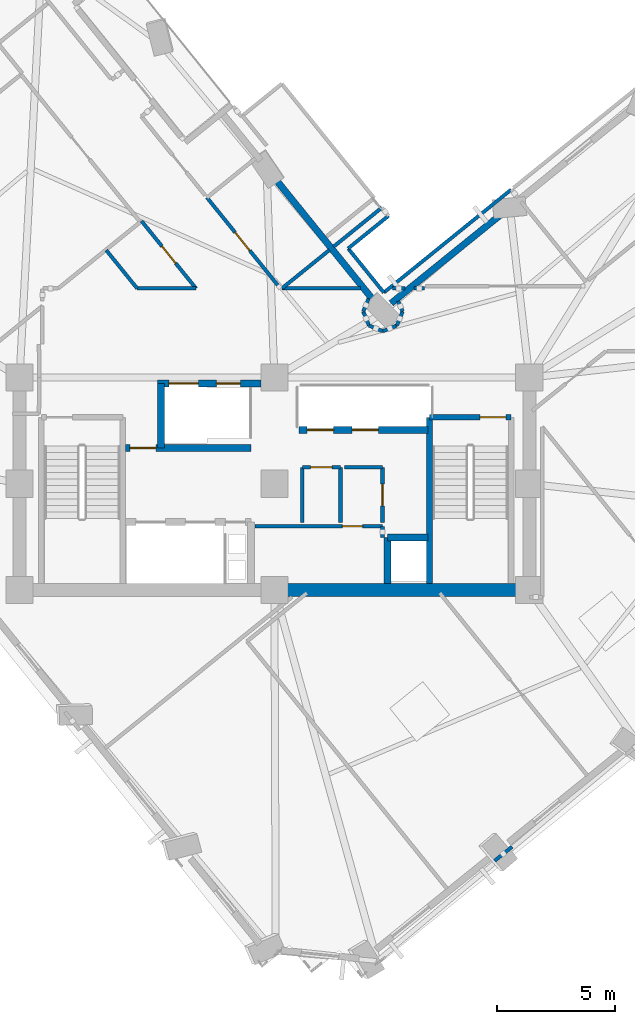
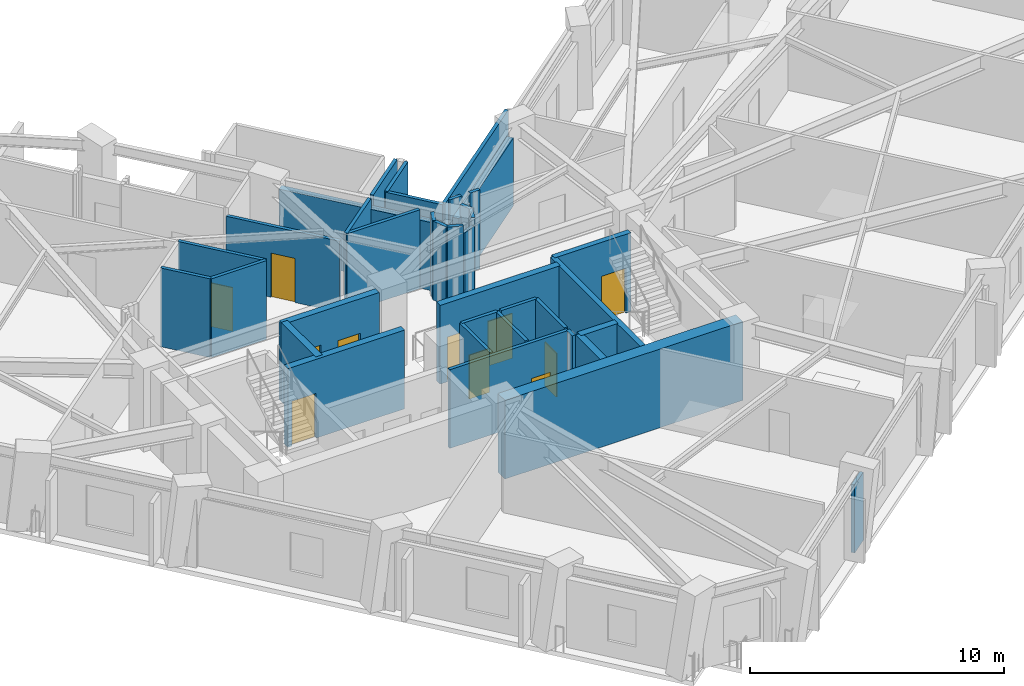
# One storey, part 6 of 14: 37 walls, 11 doors, 11 openings.
"""IFC4 building model written with IfcOpenShell, lengths in metres."""

from ifc_helpers import new_model, si_unit, direction, frame, frame_2d, origin, place, context, subcontext, project, spatial, rectangle, extrude, material, layer, layer_set, type_object, element, fill, save


model = new_model("IFC4")

# Units and contexts
model_context = context("Model", 3, precision=1e-05, world=origin(), true_north=direction((0.0, 1.0)))
body_context = subcontext(model_context, "Body", "Model", "MODEL_VIEW")
ifc_project = project(units=[si_unit("LENGTHUNIT", "METRE"), si_unit("AREAUNIT", "SQUARE_METRE"), si_unit("VOLUMEUNIT", "CUBIC_METRE"), si_unit("PLANEANGLEUNIT", "RADIAN"), si_unit("MASSUNIT", "GRAM", prefix="KILO")], contexts=[model_context])

# Site, building, storey
site_placement = place(None, origin())
site = spatial("IfcSite", under=ifc_project, at=site_placement, CompositionType="ELEMENT")
building_placement = place(site_placement, origin())
building = spatial("IfcBuilding", under=site, at=building_placement, Name="Gaonmaruhae Medical Tower", CompositionType="ELEMENT")
storey_placement = place(building_placement, frame((0.0, 0.0, 189.800048828125)))
storey = spatial("IfcBuildingStorey", under=building, at=storey_placement, Name="L45", CompositionType="ELEMENT", Elevation=189.800048828125)

# Walls
ifc_material_1 = material(Name="Concrete C50/60", Category="concrete")
ifc_layer_1 = layer(ifc_material_1, 0.550048828125)
ifc_layer_set_1 = layer_set([ifc_layer_1], Name="Concrete C50/60")
wall_type_1 = type_object("IfcWallType", Name="CW-550 Mid-High Core Shear Wall", PredefinedType="SHEAR", material=ifc_layer_set_1)
wall_1_placement = place(storey_placement, frame((24.800048828125, 7.800048828125, 0.0), z_axis=(0.0, 0.0, 1.0), x_axis=(1.0, 0.0, 0.0)))
element("IfcWall", 1, at=wall_1_placement, inside=storey, type_object=wall_type_1, Name="L45 Core Shear Wall CSW-S2", PredefinedType="SHEAR", context=body_context, shape_type="SweptSolid", body=[
    extrude(rectangle(XDim=10.800048828125, YDim=0.550048828125, at=frame_2d((5.39990234375, 0.0))), origin(), (0.0, 0.0, 1.0), 3.780029296875),
])
ifc_material_2 = material(Name="Precast concrete C45/55", Category="concrete")
ifc_layer_2 = layer(ifc_material_2, 0.280029296875)
ifc_layer_set_2 = layer_set([ifc_layer_2], Name="Precast concrete C45/55")
wall_type_2 = type_object("IfcWallType", Name="EW-280 Upper Precast Masonry-Frame Facade Wall", PredefinedType="SOLIDWALL", material=ifc_layer_set_2)
wall_2_placement = place(storey_placement, frame((29.747314453125, 19.949951171875, 0.0), z_axis=(0.0, 0.0, 1.0), x_axis=(0.777717798176, 0.628613574782, 0.0)))
element("IfcWall", 2, at=wall_2_placement, inside=storey, type_object=wall_type_2, Name="L45 Precast Masonry-Frame Wall EN03-KN01", PredefinedType="SOLIDWALL", context=body_context, shape_type="SweptSolid", body=[
    extrude(rectangle(XDim=5.9599609375, YDim=0.280029296875, at=frame_2d((2.97998046875, 0.0))), origin(), (0.0, 0.0, 1.0), 3.264892578125),
])
wall_3_placement = place(storey_placement, frame((29.076904296875, 19.976318359375, 0.0), z_axis=(0.0, 0.0, 1.0), x_axis=(-0.628642221387, 0.777694642832, 0.0)))
element("IfcWall", 3, at=wall_3_placement, inside=storey, type_object=wall_type_2, Name="L45 Precast Masonry-Frame Wall KN01-NE01", PredefinedType="SOLIDWALL", context=body_context, shape_type="SweptSolid", body=[
    extrude(rectangle(XDim=6.759765625, YDim=0.280029296875, at=frame_2d((3.3798828125, 0.0))), origin(), (0.0, 0.0, 1.0), 3.264892578125),
])

# Wall, opening, door
ifc_material_3 = material(Name="Gypsum board partition", Category="gypsum")
ifc_layer_3 = layer(ifc_material_3, 0.14990234375)
ifc_layer_set_3 = layer_set([ifc_layer_3], Name="Gypsum board partition")
wall_type_3 = type_object("IfcWallType", Name="PW-150 Rated Clinical Corridor Partition", PredefinedType="PARTITIONING", material=ifc_layer_set_3)
wall_4_placement = place(storey_placement, frame((23.97998046875, 10.5, 0.0), z_axis=(0.0, 0.0, 1.0), x_axis=(1.0, 0.0, 0.0)))
wall_4 = element("IfcWall", 4, at=wall_4_placement, inside=storey, type_object=wall_type_3, Name="L45 Interior Partition L45-RCL1-1", PredefinedType="PARTITIONING", context=body_context, shape_type="SweptSolid", body=[
    extrude(rectangle(XDim=5.39990234375, YDim=0.14990234375, at=frame_2d((2.699951171875, 0.0))), origin(), (0.0, 0.0, 1.0), 3.780029296875),
])
opening_1_placement = place(wall_4_placement, frame((3.702880859375, 0.0, 0.0)))
opening_1 = element("IfcOpeningElement", 5, at=opening_1_placement, cuts=wall_4, Name="Opening AD-01", PredefinedType="OPENING", context=body_context, shape_type="SweptSolid", body=[
    extrude(rectangle(XDim=0.860107421875, YDim=2.06005859375, at=frame_2d((0.43017578125, 1.030029296875))), frame((0.0, 0.0849609375, 0.0), z_axis=(0.0, -1.0, 0.0), x_axis=(1.0, 0.0, 0.0)), (0.0, 0.0, 1.0), 0.169921875),
])
ifc_material_4 = material(Name="Powder-coated steel access door", Category="steel")
door_type_1 = type_object("IfcDoorType", Name="AD-01 Riser & Closet Access Fire Door 860x2060", OperationType="NOTDEFINED", PredefinedType="DOOR", material=ifc_material_4)
door_1_placement = place(opening_1_placement, origin())
door_1 = element("IfcDoor", 6, at=door_1_placement, inside=storey, type_object=door_type_1, Name="L45 Biomedical Infusion Preparation Room Sliding Door", OperationType="SLIDING_TO_LEFT", OverallHeight=2.06005859375, OverallWidth=0.860107421875, PredefinedType="DOOR", context=body_context, shape_type="SweptSolid", body=[
    extrude(rectangle(XDim=0.860107421875, YDim=2.06005859375, at=frame_2d((0.43017578125, 1.030029296875))), frame((0.0, 0.02490234375, 0.0), z_axis=(0.0, -1.0, 0.0), x_axis=(1.0, 0.0, 0.0)), (0.0, 0.0, 1.0), 0.050048828125),
])
fill(opening_1, door_1)

# Walls
wall_5_placement = place(storey_placement, frame((29.3798828125, 10.5, 0.0), z_axis=(0.0, 0.0, 1.0), x_axis=(0.0, -1.0, 0.0)))
element("IfcWall", 7, at=wall_5_placement, inside=storey, type_object=wall_type_3, Name="L45 Interior Partition L45-RCL1-2", PredefinedType="PARTITIONING", context=body_context, shape_type="SweptSolid", body=[
    extrude(rectangle(XDim=0.47998046875, YDim=0.14990234375, at=frame_2d((0.239990234375, 0.0))), origin(), (0.0, 0.0, 1.0), 3.780029296875),
])
wall_6_placement = place(storey_placement, frame((25.97998046875, 10.659912109375, 0.0), z_axis=(0.0, 0.0, 1.0), x_axis=(0.0, 1.0, 0.0)))
element("IfcWall", 8, at=wall_6_placement, inside=storey, type_object=wall_type_3, Name="L45 Interior Partition L45-CS1-3", PredefinedType="PARTITIONING", context=body_context, shape_type="SweptSolid", body=[
    extrude(rectangle(XDim=2.340087890625, YDim=0.14990234375, at=frame_2d((1.169921875, 0.0))), origin(), (0.0, 0.0, 1.0), 3.780029296875),
])

# Wall, opening, door
wall_7_placement = place(storey_placement, frame((25.97998046875, 13.0, 0.0), z_axis=(0.0, 0.0, 1.0), x_axis=(1.0, 0.0, 0.0)))
wall_7 = element("IfcWall", 9, at=wall_7_placement, inside=storey, type_object=wall_type_3, Name="L45 Interior Partition L45-CS1-4", PredefinedType="PARTITIONING", context=body_context, shape_type="SweptSolid", body=[
    extrude(rectangle(XDim=1.6201171875, YDim=0.14990234375, at=frame_2d((0.81005859375, 0.0))), origin(), (0.0, 0.0, 1.0), 3.780029296875),
])
opening_2_placement = place(wall_7_placement, frame((0.35009765625, 0.0, 0.0)))
opening_2 = element("IfcOpeningElement", 10, at=opening_2_placement, cuts=wall_7, Name="Opening UD-01", PredefinedType="OPENING", context=body_context, shape_type="SweptSolid", body=[
    extrude(rectangle(XDim=0.919921875, YDim=2.10009765625, at=frame_2d((0.4599609375, 1.050048828125))), frame((0.0, 0.0849609375, 0.0), z_axis=(0.0, -1.0, 0.0), x_axis=(1.0, 0.0, 0.0)), (0.0, 0.0, 1.0), 0.169921875),
])
ifc_material_5 = material(Name="Powder-coated steel utility door", Category="steel")
door_type_2 = type_object("IfcDoorType", Name="UD-01 Toilet, Utility & Housekeeping Door 920x2100", OperationType="NOTDEFINED", PredefinedType="DOOR", material=ifc_material_5)
door_2_placement = place(opening_2_placement, origin())
door_2 = element("IfcDoor", 11, at=door_2_placement, inside=storey, type_object=door_type_2, Name="L45 Accessible Staff Toilet Door", OperationType="SINGLE_SWING_RIGHT", OverallHeight=2.10009765625, OverallWidth=0.919921875, PredefinedType="DOOR", context=body_context, shape_type="SweptSolid", body=[
    extrude(rectangle(XDim=0.919921875, YDim=2.10009765625, at=frame_2d((0.4599609375, 1.050048828125))), frame((0.0, 0.02490234375, 0.0), z_axis=(0.0, -1.0, 0.0), x_axis=(1.0, 0.0, 0.0)), (0.0, 0.0, 1.0), 0.050048828125),
])
fill(opening_2, door_2)

# Walls
wall_8_placement = place(storey_placement, frame((27.60009765625, 13.0, 0.0), z_axis=(0.0, 0.0, 1.0), x_axis=(0.0, -1.0, 0.0)))
element("IfcWall", 12, at=wall_8_placement, inside=storey, type_object=wall_type_3, Name="L45 Interior Partition L45-CS1-5", PredefinedType="PARTITIONING", context=body_context, shape_type="SweptSolid", body=[
    extrude(rectangle(XDim=2.340087890625, YDim=0.14990234375, at=frame_2d((1.169921875, 0.0))), origin(), (0.0, 0.0, 1.0), 3.780029296875),
])
wall_9_placement = place(storey_placement, frame((27.760009765625, 13.0, 0.0), z_axis=(0.0, 0.0, 1.0), x_axis=(1.0, 0.0, 0.0)))
element("IfcWall", 13, at=wall_9_placement, inside=storey, type_object=wall_type_3, Name="L45 Interior Partition L45-CS2-6", PredefinedType="PARTITIONING", context=body_context, shape_type="SweptSolid", body=[
    extrude(rectangle(XDim=1.619873046875, YDim=0.14990234375, at=frame_2d((0.81005859375, 0.0))), origin(), (0.0, 0.0, 1.0), 3.780029296875),
])

# Wall, opening, door
wall_10_placement = place(storey_placement, frame((29.3798828125, 13.0, 0.0), z_axis=(0.0, 0.0, 1.0), x_axis=(0.0, -1.0, 0.0)))
wall_10 = element("IfcWall", 14, at=wall_10_placement, inside=storey, type_object=wall_type_3, Name="L45 Interior Partition L45-CS2-7", PredefinedType="PARTITIONING", context=body_context, shape_type="SweptSolid", body=[
    extrude(rectangle(XDim=2.340087890625, YDim=0.14990234375, at=frame_2d((1.169921875, 0.0))), origin(), (0.0, 0.0, 1.0), 3.780029296875),
])
opening_3_placement = place(wall_10_placement, frame((0.7099609375, 0.0, 0.0)))
opening_3 = element("IfcOpeningElement", 15, at=opening_3_placement, cuts=wall_10, Name="Opening UD-01", PredefinedType="OPENING", context=body_context, shape_type="SweptSolid", body=[
    extrude(rectangle(XDim=0.919921875, YDim=2.10009765625, at=frame_2d((0.4599609375, 1.050048828125))), frame((0.0, 0.0849609375, 0.0), z_axis=(0.0, -1.0, 0.0), x_axis=(1.0, 0.0, 0.0)), (0.0, 0.0, 1.0), 0.169921875),
])
door_3_placement = place(opening_3_placement, origin())
door_3 = element("IfcDoor", 16, at=door_3_placement, inside=storey, type_object=door_type_2, Name="L45 Biomedical Telemetry Closet Door", OperationType="SINGLE_SWING_LEFT", OverallHeight=2.10009765625, OverallWidth=0.919921875, PredefinedType="DOOR", context=body_context, shape_type="SweptSolid", body=[
    extrude(rectangle(XDim=0.919921875, YDim=2.10009765625, at=frame_2d((0.4599609375, 1.050048828125))), frame((0.0, 0.02490234375, 0.0), z_axis=(0.0, -1.0, 0.0), x_axis=(1.0, 0.0, 0.0)), (0.0, 0.0, 1.0), 0.050048828125),
])
fill(opening_3, door_3)

# Walls
wall_11_placement = place(storey_placement, frame((34.8701171875, -3.080078125, 0.0), z_axis=(0.0, 0.0, 1.0), x_axis=(-0.777931532756, -0.628349051359, 0.0)))
element("IfcWall", 17, at=wall_11_placement, inside=storey, type_object=wall_type_3, Name="L45 Interior Partition L45-SUP02-8", PredefinedType="PARTITIONING", context=body_context, shape_type="SweptSolid", body=[
    extrude(rectangle(XDim=0.95166015625, YDim=0.14990234375, at=frame_2d((0.475830078125, 0.0))), origin(), (0.0, 0.0, 1.0), 3.264892578125),
])
wall_12_placement = place(storey_placement, frame((27.927978515625, 22.27197265625, 0.0), z_axis=(0.0, 0.0, 1.0), x_axis=(0.628817696096, -0.777552766747, 0.0)))
element("IfcWall", 18, at=wall_12_placement, inside=storey, type_object=wall_type_3, Name="L45 Interior Partition L45-IE01-46", PredefinedType="PARTITIONING", context=body_context, shape_type="SweptSolid", body=[
    extrude(rectangle(XDim=2.39990234375, YDim=0.14990234375, at=frame_2d((1.199951171875, 0.0))), origin(), (0.0, 0.0, 1.0), 3.780029296875),
])
wall_13_placement = place(storey_placement, frame((29.43701171875, 20.406005859375, 0.0), z_axis=(0.0, 0.0, 1.0), x_axis=(0.777692568026, 0.628644788125, 0.0)))
element("IfcWall", 19, at=wall_13_placement, inside=storey, type_object=wall_type_3, Name="L45 Interior Partition L45-IE01-47", PredefinedType="PARTITIONING", context=body_context, shape_type="SweptSolid", body=[
    extrude(rectangle(XDim=6.943603515625, YDim=0.14990234375, at=frame_2d((3.4716796875, 0.0))), origin(), (0.0, 0.0, 1.0), 3.780029296875),
])
wall_14_placement = place(storey_placement, frame((31.169921875, 20.580078125, 0.0), z_axis=(0.0, 0.0, 1.0), x_axis=(-1.0, 0.0, 0.0)))
element("IfcWall", 20, at=wall_14_placement, inside=storey, type_object=wall_type_3, Name="L45 Interior Partition L45-IE01-51", PredefinedType="PARTITIONING", context=body_context, shape_type="SweptSolid", body=[
    extrude(rectangle(XDim=0.4609375, YDim=0.14990234375, at=frame_2d((0.23046875, 0.0))), origin(), (0.0, 0.0, 1.0), 3.780029296875),
])
wall_15_placement = place(storey_placement, frame((30.343017578125, 20.5791015625, 0.0), z_axis=(0.0, 0.0, 1.0), x_axis=(-1.0, 0.0, 0.0)))
element("IfcWall", 21, at=wall_15_placement, inside=storey, type_object=wall_type_3, Name="L45 Interior Partition L45-IE01-52", PredefinedType="PARTITIONING", context=body_context, shape_type="SweptSolid", body=[
    extrude(rectangle(XDim=0.5439453125, YDim=0.14990234375, at=frame_2d((0.27197265625, 0.0))), origin(), (0.0, 0.0, 1.0), 3.780029296875),
])
wall_16_placement = place(storey_placement, frame((30.047119140625, 20.0439453125, 0.0), z_axis=(0.0, 0.0, 1.0), x_axis=(0.382783485813, -0.923838082669, 0.0)))
element("IfcWall", 22, at=wall_16_placement, inside=storey, type_object=wall_type_3, Name="L45 Interior Partition L45-IE01-53", PredefinedType="PARTITIONING", context=body_context, shape_type="SweptSolid", body=[
    extrude(rectangle(XDim=0.48291015625, YDim=0.14990234375, at=frame_2d((0.241455078125, 0.0))), origin(), (0.0, 0.0, 1.0), 3.780029296875),
])
wall_17_placement = place(storey_placement, frame((30.23193359375, 19.597900390625, 0.0), z_axis=(0.0, 0.0, 1.0), x_axis=(-0.383420739437, -0.923573785125, 0.0)))
element("IfcWall", 23, at=wall_17_placement, inside=storey, type_object=wall_type_3, Name="L45 Interior Partition L45-IE01-54", PredefinedType="PARTITIONING", context=body_context, shape_type="SweptSolid", body=[
    extrude(rectangle(XDim=0.638671875, YDim=0.14990234375, at=frame_2d((0.3193359375, 0.0))), origin(), (0.0, 0.0, 1.0), 3.780029296875),
])
wall_18_placement = place(storey_placement, frame((29.987060546875, 19.008056640625, 0.0), z_axis=(0.0, 0.0, 1.0), x_axis=(-0.923811477415, -0.382847690599, 0.0)))
element("IfcWall", 24, at=wall_18_placement, inside=storey, type_object=wall_type_3, Name="L45 Interior Partition L45-IE01-55", PredefinedType="PARTITIONING", context=body_context, shape_type="SweptSolid", body=[
    extrude(rectangle(XDim=0.6376953125, YDim=0.14990234375, at=frame_2d((0.31884765625, 0.0))), origin(), (0.0, 0.0, 1.0), 3.4150390625),
])
for number, where, z_axis, x_axis, name in (
    (25, (29.39794921875, 18.763916015625, 0.0), (0.0, 0.0, 1.0), (-0.923979554509, 0.382441868588, 0.0), "L45 Interior Partition L45-IE01-56"),
    (26, (28.80810546875, 19.008056640625, 0.0), (0.0, 0.0, 1.0), (-0.382441868588, 0.923979554509, 0.0), "L45 Interior Partition L45-IE01-57"),
):
    element("IfcWall", number, at=place(storey_placement, frame(where, z_axis=z_axis, x_axis=x_axis)), inside=storey, type_object=wall_type_3, Name=name, PredefinedType="PARTITIONING", context=body_context, shape_type="SweptSolid", body=[
        extrude(rectangle(XDim=0.638427734375, YDim=0.14990234375, at=frame_2d((0.3193359375, 0.0))), origin(), (0.0, 0.0, 1.0), 3.780029296875),
    ])
wall_19_placement = place(storey_placement, frame((28.56396484375, 19.597900390625, 0.0), z_axis=(0.0, 0.0, 1.0), x_axis=(0.382134027661, 0.924106912053, 0.0)))
element("IfcWall", 27, at=wall_19_placement, inside=storey, type_object=wall_type_3, Name="L45 Interior Partition L45-IE01-58", PredefinedType="PARTITIONING", context=body_context, shape_type="SweptSolid", body=[
    extrude(rectangle(XDim=0.59423828125, YDim=0.14990234375, at=frame_2d((0.297119140625, 0.0))), origin(), (0.0, 0.0, 1.0), 3.780029296875),
])
wall_20_placement = place(storey_placement, frame((28.44189453125, 20.5791015625, 0.0), z_axis=(0.0, 0.0, 1.0), x_axis=(-0.999997876259, 0.002060940714, 0.0)))
element("IfcWall", 28, at=wall_20_placement, inside=storey, type_object=wall_type_3, Name="L45 Interior Partition L45-IE01-59", PredefinedType="PARTITIONING", context=body_context, shape_type="SweptSolid", body=[
    extrude(rectangle(XDim=3.31689453125, YDim=0.14990234375, at=frame_2d((1.658447265625, 0.0))), origin(), (0.0, 0.0, 1.0), 3.780029296875),
])
wall_21_placement = place(storey_placement, frame((25.125, 20.5859375, 0.0), z_axis=(0.0, 0.0, 1.0), x_axis=(0.777862741632, 0.62843420911, 0.0)))
element("IfcWall", 29, at=wall_21_placement, inside=storey, type_object=wall_type_3, Name="L45 Interior Partition L45-IE01-60", PredefinedType="PARTITIONING", context=body_context, shape_type="SweptSolid", body=[
    extrude(rectangle(XDim=2.574951171875, YDim=0.14990234375, at=frame_2d((1.28759765625, 0.0))), origin(), (0.0, 0.0, 1.0), 3.780029296875),
])
wall_22_placement = place(storey_placement, frame((27.306884765625, 22.34912109375, 0.0), z_axis=(0.0, 0.0, 1.0), x_axis=(0.777803521149, 0.628507503924, 0.0)))
element("IfcWall", 30, at=wall_22_placement, inside=storey, type_object=wall_type_3, Name="L45 Interior Partition L45-IE01-61", PredefinedType="PARTITIONING", context=body_context, shape_type="SweptSolid", body=[
    extrude(rectangle(XDim=2.634521484375, YDim=0.14990234375, at=frame_2d((1.3173828125, 0.0))), origin(), (0.0, 0.0, 1.0), 3.780029296875),
])
wall_23_placement = place(storey_placement, frame((29.638916015625, 23.655029296875, 0.0), z_axis=(0.0, 0.0, 1.0), x_axis=(-0.777686587847, -0.628652186095, 0.0)))
element("IfcWall", 31, at=wall_23_placement, inside=storey, type_object=wall_type_3, Name="L45 Interior Partition L45-IE01-63", PredefinedType="PARTITIONING", context=body_context, shape_type="SweptSolid", body=[
    extrude(rectangle(XDim=2.199951171875, YDim=0.14990234375, at=frame_2d((1.10009765625, 0.0))), origin(), (0.0, 0.0, 1.0), 3.780029296875),
])

# Wall, opening, door
wall_24_placement = place(storey_placement, frame((24.947021484375, 20.7109375, 0.0), z_axis=(0.0, 0.0, 1.0), x_axis=(-0.628604529082, 0.777725109545, 0.0)))
wall_24 = element("IfcWall", 32, at=wall_24_placement, inside=storey, type_object=wall_type_3, Name="L45 Interior Partition L45-IN01-77", PredefinedType="PARTITIONING", context=body_context, shape_type="SweptSolid", body=[
    extrude(rectangle(XDim=4.780517578125, YDim=0.14990234375, at=frame_2d((2.39013671875, 0.0))), origin(), (0.0, 0.0, 1.0), 3.4150390625),
])
opening_4_placement = place(wall_24_placement, frame((1.890380859375, 0.0, 0.0)))
opening_4 = element("IfcOpeningElement", 33, at=opening_4_placement, cuts=wall_24, Name="Opening CD-01", PredefinedType="OPENING", context=body_context, shape_type="SweptSolid", body=[
    extrude(rectangle(XDim=1.0, YDim=2.1201171875, at=frame_2d((0.5, 1.06005859375))), frame((0.0, 0.0849609375, 0.0), z_axis=(0.0, -1.0, 0.0), x_axis=(1.0, 0.0, 0.0)), (0.0, 0.0, 1.0), 0.169921875),
])
ifc_material_6 = material(Name="Antimicrobial laminate timber fire door", Category="wood")
door_type_3 = type_object("IfcDoorType", Name="CD-01 Consultation & Physician Office Door 1000x2120", OperationType="NOTDEFINED", PredefinedType="DOOR", material=ifc_material_6)
door_4_placement = place(opening_4_placement, origin())
door_4 = element("IfcDoor", 34, at=door_4_placement, inside=storey, type_object=door_type_3, Name="L45 Physician Consultation Office Door", OperationType="SINGLE_SWING_LEFT", OverallHeight=2.1201171875, OverallWidth=1.0, PredefinedType="DOOR", context=body_context, shape_type="SweptSolid", body=[
    extrude(rectangle(XDim=1.0, YDim=2.1201171875, at=frame_2d((0.5, 1.06005859375))), frame((0.0, 0.02490234375, 0.0), z_axis=(0.0, -1.0, 0.0), x_axis=(1.0, 0.0, 0.0)), (0.0, 0.0, 1.0), 0.050048828125),
])
fill(opening_4, door_4)

wall_25_placement = place(storey_placement, frame((19.169921875, 23.43505859375, 0.0), z_axis=(0.0, 0.0, 1.0), x_axis=(0.62869305857, -0.777653546321, 0.0)))
wall_25 = element("IfcWall", 35, at=wall_25_placement, inside=storey, type_object=wall_type_3, Name="L45 Interior Partition L45-RM03-93", PredefinedType="PARTITIONING", context=body_context, shape_type="SweptSolid", body=[
    extrude(rectangle(XDim=3.67138671875, YDim=0.14990234375, at=frame_2d((1.835693359375, 0.0))), origin(), (0.0, 0.0, 1.0), 3.780029296875),
])
opening_5_placement = place(wall_25_placement, frame((1.37548828125, 0.0, 0.0)))
opening_5 = element("IfcOpeningElement", 36, at=opening_5_placement, cuts=wall_25, Name="Opening UD-01", PredefinedType="OPENING", context=body_context, shape_type="SweptSolid", body=[
    extrude(rectangle(XDim=0.919921875, YDim=2.10009765625, at=frame_2d((0.4599609375, 1.050048828125))), frame((0.0, 0.0849609375, 0.0), z_axis=(0.0, -1.0, 0.0), x_axis=(1.0, 0.0, 0.0)), (0.0, 0.0, 1.0), 0.169921875),
])
door_5_placement = place(opening_5_placement, origin())
door_5 = element("IfcDoor", 37, at=door_5_placement, inside=storey, type_object=door_type_2, Name="L45 Biomedical Mobile Equipment Bay Door", OperationType="SINGLE_SWING_RIGHT", OverallHeight=2.10009765625, OverallWidth=0.919921875, PredefinedType="DOOR", context=body_context, shape_type="SweptSolid", body=[
    extrude(rectangle(XDim=0.919921875, YDim=2.10009765625, at=frame_2d((0.4599609375, 1.050048828125))), frame((0.0, 0.02490234375, 0.0), z_axis=(0.0, -1.0, 0.0), x_axis=(1.0, 0.0, 0.0)), (0.0, 0.0, 1.0), 0.050048828125),
])
fill(opening_5, door_5)

# Walls
wall_26_placement = place(storey_placement, frame((21.47802734375, 20.580078125, 0.0), z_axis=(0.0, 0.0, 1.0), x_axis=(-1.0, 0.0, 0.0)))
element("IfcWall", 38, at=wall_26_placement, inside=storey, type_object=wall_type_3, Name="L45 Interior Partition L45-RM03-94", PredefinedType="PARTITIONING", context=body_context, shape_type="SweptSolid", body=[
    extrude(rectangle(XDim=2.494140625, YDim=0.14990234375, at=frame_2d((1.2470703125, 0.0))), origin(), (0.0, 0.0, 1.0), 3.780029296875),
])
wall_27_placement = place(storey_placement, frame((18.98388671875, 20.580078125, 0.0), z_axis=(0.0, 0.0, 1.0), x_axis=(-0.628759845398, 0.777599547849, 0.0)))
element("IfcWall", 39, at=wall_27_placement, inside=storey, type_object=wall_type_3, Name="L45 Interior Partition L45-RM03-95", PredefinedType="PARTITIONING", context=body_context, shape_type="SweptSolid", body=[
    extrude(rectangle(XDim=2.083251953125, YDim=0.14990234375, at=frame_2d((1.04150390625, 0.0))), origin(), (0.0, 0.0, 1.0), 3.780029296875),
])

# Wall, opening, door
ifc_layer_4 = layer(ifc_material_1, 0.239990234375)
ifc_layer_set_4 = layer_set([ifc_layer_4], Name="Concrete C50/60")
wall_type_4 = type_object("IfcWallType", Name="SW-240 Dogleg Stair Tight Shaft Wall", PredefinedType="SOLIDWALL", material=ifc_layer_set_4)
wall_28_placement = place(storey_placement, frame((31.3701171875, 15.1201171875, 0.0), z_axis=(0.0, 0.0, 1.0), x_axis=(1.0, 0.0, 0.0)))
wall_28 = element("IfcWall", 40, at=wall_28_placement, inside=storey, type_object=wall_type_4, Name="L45 ST-02 Stair Shaft Wall SHW-ST-02-N", PredefinedType="SOLIDWALL", context=body_context, shape_type="SweptSolid", body=[
    extrude(rectangle(XDim=3.4599609375, YDim=0.239990234375, at=frame_2d((1.72998046875, 0.0))), origin(), (0.0, 0.0, 1.0), 3.780029296875),
])
opening_6_placement = place(wall_28_placement, frame((2.139892578125, 0.0, 0.0)))
opening_6 = element("IfcOpeningElement", 41, at=opening_6_placement, cuts=wall_28, Name="Opening FD-01", PredefinedType="OPENING", context=body_context, shape_type="SweptSolid", body=[
    extrude(rectangle(XDim=1.10009765625, YDim=2.14990234375, at=frame_2d((0.550048828125, 1.074951171875))), frame((0.0, 0.1298828125, 0.0), z_axis=(0.0, -1.0, 0.0), x_axis=(1.0, 0.0, 0.0)), (0.0, 0.0, 1.0), 0.260009765625),
])
ifc_material_7 = material(Name="Powder-coated steel fire door", Category="steel")
door_type_4 = type_object("IfcDoorType", Name="FD-01 Escape Stair Protected Fire Door 1100x2150", OperationType="NOTDEFINED", PredefinedType="DOOR", material=ifc_material_7)
door_6_placement = place(opening_6_placement, origin())
door_6 = element("IfcDoor", 42, at=door_6_placement, inside=storey, type_object=door_type_4, Name="L45 ST-02 Protected Escape Stair Door", OperationType="SINGLE_SWING_RIGHT", OverallHeight=2.14990234375, OverallWidth=1.10009765625, PredefinedType="DOOR", context=body_context, shape_type="SweptSolid", body=[
    extrude(rectangle(XDim=1.10009765625, YDim=2.14990234375, at=frame_2d((0.550048828125, 1.074951171875))), frame((0.0, 0.02490234375, 0.0), z_axis=(0.0, -1.0, 0.0), x_axis=(1.0, 0.0, 0.0)), (0.0, 0.0, 1.0), 0.050048828125),
])
fill(opening_6, door_6)

# Wall
wall_29_placement = place(storey_placement, frame((31.3701171875, 8.074951171875, 0.0), z_axis=(0.0, 0.0, 1.0), x_axis=(0.0, 1.0, 0.0)))
element("IfcWall", 43, at=wall_29_placement, inside=storey, type_object=wall_type_4, Name="L45 ST-02 Stair Shaft Wall SHW-ST-02-W", PredefinedType="SOLIDWALL", context=body_context, shape_type="SweptSolid", body=[
    extrude(rectangle(XDim=7.045166015625, YDim=0.239990234375, at=frame_2d((3.5224609375, 0.0))), origin(), (0.0, 0.0, 1.0), 3.780029296875),
])

# Wall, openings, doors
ifc_layer_5 = layer(ifc_material_1, 0.300048828125)
ifc_layer_set_5 = layer_set([ifc_layer_5], Name="Concrete C50/60")
wall_type_5 = type_object("IfcWallType", Name="SW-300 Stair & Lift Hoistway Shaft Wall", PredefinedType="SOLIDWALL", material=ifc_layer_set_5)
wall_30_placement = place(storey_placement, frame((19.85009765625, 16.550048828125, 0.0), z_axis=(0.0, 0.0, 1.0), x_axis=(1.0, 0.0, 0.0)))
wall_30 = element("IfcWall", 44, at=wall_30_placement, inside=storey, type_object=wall_type_5, Name="L45 Core Shear Wall CSW-NB", PredefinedType="SOLIDWALL", context=body_context, shape_type="SweptSolid", body=[
    extrude(rectangle(XDim=4.375, YDim=0.300048828125, at=frame_2d((2.1875, 0.0))), origin(), (0.0, 0.0, 1.0), 3.780029296875),
])
opening_7_placement = place(wall_30_placement, frame((0.47509765625, 0.0, 0.0)))
opening_7 = element("IfcOpeningElement", 45, at=opening_7_placement, cuts=wall_30, Name="Opening LD-F1", PredefinedType="OPENING", context=body_context, shape_type="SweptSolid", body=[
    extrude(rectangle(XDim=1.25, YDim=2.179931640625, at=frame_2d((0.625, 1.08984375))), frame((0.0, 0.16015625, 0.0), z_axis=(0.0, -1.0, 0.0), x_axis=(1.0, 0.0, 0.0)), (0.0, 0.0, 1.0), 0.320068359375),
])
opening_8_placement = place(wall_30_placement, frame((2.489990234375, 0.0, 0.0)))
opening_8 = element("IfcOpeningElement", 46, at=opening_8_placement, cuts=wall_30, Name="Opening LD-S1", PredefinedType="OPENING", context=body_context, shape_type="SweptSolid", body=[
    extrude(rectangle(XDim=1.02001953125, YDim=2.1201171875, at=frame_2d((0.510009765625, 1.06005859375))), frame((0.0, 0.16015625, 0.0), z_axis=(0.0, -1.0, 0.0), x_axis=(1.0, 0.0, 0.0)), (0.0, 0.0, 1.0), 0.320068359375),
])
ifc_material_8 = material(Name="Brushed stainless steel 316L landing door", Category="steel")
door_type_5 = type_object("IfcDoorType", Name="LD-F1 Firefighting & Bed Lift Sliding Landing Door 1250x2180", OperationType="NOTDEFINED", PredefinedType="DOOR", material=ifc_material_8)
door_7_placement = place(opening_7_placement, origin())
door_7 = element("IfcDoor", 47, at=door_7_placement, inside=storey, type_object=door_type_5, Name="L45 Service/Bed Lift Landing Door BDL-01", OperationType="DOUBLE_DOOR_SLIDING", OverallHeight=2.179931640625, OverallWidth=1.25, PredefinedType="DOOR", context=body_context, shape_type="SweptSolid", body=[
    extrude(rectangle(XDim=1.25, YDim=2.179931640625, at=frame_2d((0.625, 1.08984375))), frame((0.0, 0.02490234375, 0.0), z_axis=(0.0, -1.0, 0.0), x_axis=(1.0, 0.0, 0.0)), (0.0, 0.0, 1.0), 0.050048828125),
])
fill(opening_7, door_7)
ifc_material_9 = material(Name="Brushed stainless steel 304 landing door", Category="steel")
door_type_6 = type_object("IfcDoorType", Name="LD-S1 Service Lift Sliding Landing Door 1020x2120", OperationType="NOTDEFINED", PredefinedType="DOOR", material=ifc_material_9)
door_8_placement = place(opening_8_placement, origin())
door_8 = element("IfcDoor", 48, at=door_8_placement, inside=storey, type_object=door_type_6, Name="L45 Service/Bed Lift Landing Door SVL-01", OperationType="SLIDING_TO_LEFT", OverallHeight=2.1201171875, OverallWidth=1.02001953125, PredefinedType="DOOR", context=body_context, shape_type="SweptSolid", body=[
    extrude(rectangle(XDim=1.02001953125, YDim=2.1201171875, at=frame_2d((0.510009765625, 1.06005859375))), frame((0.0, 0.02490234375, 0.0), z_axis=(0.0, -1.0, 0.0), x_axis=(1.0, 0.0, 0.0)), (0.0, 0.0, 1.0), 0.050048828125),
])
fill(opening_8, door_8)

# Wall, opening, door
wall_31_placement = place(storey_placement, frame((18.5, 13.820068359375, 0.0), z_axis=(0.0, 0.0, 1.0), x_axis=(1.0, 0.0, 0.0)))
wall_31 = element("IfcWall", 49, at=wall_31_placement, inside=storey, type_object=wall_type_5, Name="L45 Shaft Enclosure Wall SHW-FFL", PredefinedType="SOLIDWALL", context=body_context, shape_type="SweptSolid", body=[
    extrude(rectangle(XDim=5.300048828125, YDim=0.300048828125, at=frame_2d((2.64990234375, 0.0))), origin(), (0.0, 0.0, 1.0), 3.780029296875),
])
opening_9_placement = place(wall_31_placement, frame((0.179931640625, 0.0, 0.0)))
opening_9 = element("IfcOpeningElement", 50, at=opening_9_placement, cuts=wall_31, Name="Opening FD-01", PredefinedType="OPENING", context=body_context, shape_type="SweptSolid", body=[
    extrude(rectangle(XDim=1.10009765625, YDim=2.14990234375, at=frame_2d((0.550048828125, 1.074951171875))), frame((0.0, 0.16015625, 0.0), z_axis=(0.0, -1.0, 0.0), x_axis=(1.0, 0.0, 0.0)), (0.0, 0.0, 1.0), 0.320068359375),
])
door_9_placement = place(opening_9_placement, origin())
door_9 = element("IfcDoor", 51, at=door_9_placement, inside=storey, type_object=door_type_4, Name="L45 Firefighting Lobby Smoke Door", OperationType="SINGLE_SWING_LEFT", OverallHeight=2.14990234375, OverallWidth=1.10009765625, PredefinedType="DOOR", context=body_context, shape_type="SweptSolid", body=[
    extrude(rectangle(XDim=1.10009765625, YDim=2.14990234375, at=frame_2d((0.550048828125, 1.074951171875))), frame((0.0, 0.02490234375, 0.0), z_axis=(0.0, -1.0, 0.0), x_axis=(1.0, 0.0, 0.0)), (0.0, 0.0, 1.0), 0.050048828125),
])
fill(opening_9, door_9)

# Walls
wall_32_placement = place(storey_placement, frame((20.0, 13.820068359375, 0.0), z_axis=(0.0, 0.0, 1.0), x_axis=(0.0, 1.0, 0.0)))
element("IfcWall", 52, at=wall_32_placement, inside=storey, type_object=wall_type_5, Name="L45 Shaft Enclosure Wall SHW-BDW", PredefinedType="SOLIDWALL", context=body_context, shape_type="SweptSolid", body=[
    extrude(rectangle(XDim=2.72998046875, YDim=0.300048828125, at=frame_2d((1.364990234375, 0.0))), origin(), (0.0, 0.0, 1.0), 3.780029296875),
])
wall_33_placement = place(storey_placement, frame((29.60009765625, 10.02001953125, 0.0), z_axis=(0.0, 0.0, 1.0), x_axis=(1.0, 0.0, 0.0)))
element("IfcWall", 53, at=wall_33_placement, inside=storey, type_object=wall_type_5, Name="L45 Shaft Enclosure Wall SHW-PLS", PredefinedType="SOLIDWALL", context=body_context, shape_type="SweptSolid", body=[
    extrude(rectangle(XDim=1.699951171875, YDim=0.300048828125, at=frame_2d((0.85009765625, 0.0))), origin(), (0.0, 0.0, 1.0), 3.780029296875),
])
wall_34_placement = place(storey_placement, frame((29.60009765625, 8.074951171875, 0.0), z_axis=(0.0, 0.0, 1.0), x_axis=(0.0, 1.0, 0.0)))
element("IfcWall", 54, at=wall_34_placement, inside=storey, type_object=wall_type_5, Name="L45 Shaft Enclosure Wall SHW-PLD1", PredefinedType="SOLIDWALL", context=body_context, shape_type="SweptSolid", body=[
    extrude(rectangle(XDim=1.945068359375, YDim=0.300048828125, at=frame_2d((0.97265625, 0.0))), origin(), (0.0, 0.0, 1.0), 3.780029296875),
])

# Wall, openings, doors
wall_35_placement = place(storey_placement, frame((25.85009765625, 14.580078125, 0.0), z_axis=(0.0, 0.0, 1.0), x_axis=(1.0, 0.0, 0.0)))
wall_35 = element("IfcWall", 55, at=wall_35_placement, inside=storey, type_object=wall_type_5, Name="L45 Shaft Enclosure Wall SHW-PLN", PredefinedType="SOLIDWALL", context=body_context, shape_type="SweptSolid", body=[
    extrude(rectangle(XDim=5.449951171875, YDim=0.300048828125, at=frame_2d((2.72509765625, 0.0))), origin(), (0.0, 0.0, 1.0), 3.780029296875),
])
opening_10_placement = place(wall_35_placement, frame((0.340087890625, 0.0, 0.0)))
opening_10 = element("IfcOpeningElement", 56, at=opening_10_placement, cuts=wall_35, Name="Opening LD-P1", PredefinedType="OPENING", context=body_context, shape_type="SweptSolid", body=[
    extrude(rectangle(XDim=1.1201171875, YDim=2.14990234375, at=frame_2d((0.56005859375, 1.074951171875))), frame((0.0, 0.16015625, 0.0), z_axis=(0.0, -1.0, 0.0), x_axis=(1.0, 0.0, 0.0)), (0.0, 0.0, 1.0), 0.320068359375),
])
opening_11_placement = place(wall_35_placement, frame((2.239990234375, 0.0, 0.0)))
opening_11 = element("IfcOpeningElement", 57, at=opening_11_placement, cuts=wall_35, Name="Opening LD-P1", PredefinedType="OPENING", context=body_context, shape_type="SweptSolid", body=[
    extrude(rectangle(XDim=1.1201171875, YDim=2.14990234375, at=frame_2d((0.56005859375, 1.074951171875))), frame((0.0, 0.16015625, 0.0), z_axis=(0.0, -1.0, 0.0), x_axis=(1.0, 0.0, 0.0)), (0.0, 0.0, 1.0), 0.320068359375),
])
door_type_7 = type_object("IfcDoorType", Name="LD-P1 Passenger Lift Sliding Landing Door 1120x2150", OperationType="NOTDEFINED", PredefinedType="DOOR", material=ifc_material_9)
door_10_placement = place(opening_10_placement, origin())
door_10 = element("IfcDoor", 58, at=door_10_placement, inside=storey, type_object=door_type_7, Name="L45 Passenger Lift Landing Door PL-M1", OperationType="DOUBLE_DOOR_SLIDING", OverallHeight=2.14990234375, OverallWidth=1.1201171875, PredefinedType="DOOR", context=body_context, shape_type="SweptSolid", body=[
    extrude(rectangle(XDim=1.1201171875, YDim=2.14990234375, at=frame_2d((0.56005859375, 1.074951171875))), frame((0.0, 0.02490234375, 0.0), z_axis=(0.0, -1.0, 0.0), x_axis=(1.0, 0.0, 0.0)), (0.0, 0.0, 1.0), 0.050048828125),
])
fill(opening_10, door_10)
door_11_placement = place(opening_11_placement, origin())
door_11 = element("IfcDoor", 59, at=door_11_placement, inside=storey, type_object=door_type_7, Name="L45 Passenger Lift Landing Door PL-M2", OperationType="DOUBLE_DOOR_SLIDING", OverallHeight=2.14990234375, OverallWidth=1.1201171875, PredefinedType="DOOR", context=body_context, shape_type="SweptSolid", body=[
    extrude(rectangle(XDim=1.1201171875, YDim=2.14990234375, at=frame_2d((0.56005859375, 1.074951171875))), frame((0.0, 0.02490234375, 0.0), z_axis=(0.0, -1.0, 0.0), x_axis=(1.0, 0.0, 0.0)), (0.0, 0.0, 1.0), 0.050048828125),
])
fill(opening_11, door_11)

save(model, "model.ifc")
